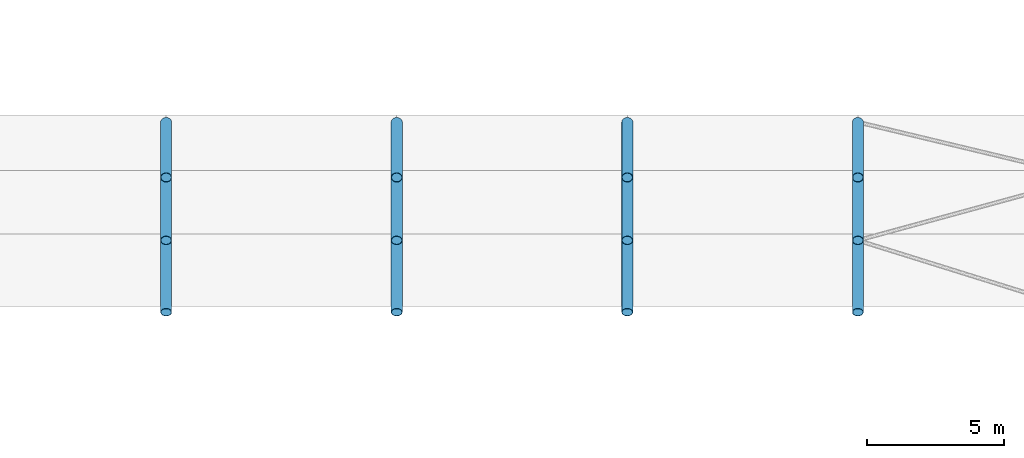
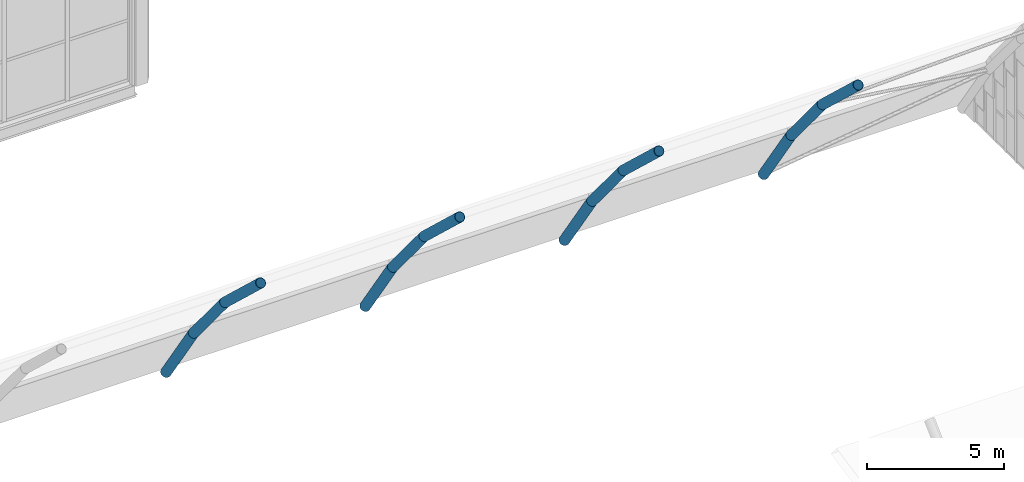
# One storey, part 21 of 77: 12 members.
"""IFC4 building model written with IfcOpenShell, lengths in metres."""

from ifc_helpers import new_model, si_unit, direction, frame, origin, origin_2d, place, context, subcontext, project, spatial, hollow_circle, extrude, material, material_profile, profile_set, type_object, element, save


model = new_model("IFC4")

# Units and contexts
model_context = context("Model", 3, precision=1e-05, world=origin(), true_north=direction((0.0, 1.0)))
body_context = subcontext(model_context, "Body", "Model", "MODEL_VIEW")
ifc_project = project(units=[si_unit("LENGTHUNIT", "METRE"), si_unit("AREAUNIT", "SQUARE_METRE"), si_unit("VOLUMEUNIT", "CUBIC_METRE"), si_unit("PLANEANGLEUNIT", "RADIAN"), si_unit("MASSUNIT", "GRAM", prefix="KILO")], contexts=[model_context])

# Site, building, storey
site_placement = place(None, origin())
site = spatial("IfcSite", under=ifc_project, at=site_placement, CompositionType="ELEMENT")
building_placement = place(site_placement, origin())
building = spatial("IfcBuilding", under=site, at=building_placement, Name="Catenary Quay Ferry Terminal", CompositionType="ELEMENT")
storey_placement = place(building_placement, frame((0.0, 0.0, 10.800048828125)))
storey = spatial("IfcBuildingStorey", under=building, at=storey_placement, Name="L02", CompositionType="ELEMENT", Elevation=10.800048828125)

# Members
ifc_material = material(Name="Steel S355", Category="steel")
ifc_material_profile = material_profile(ifc_material, hollow_circle(Radius=0.203125, WallThickness=0.01611328125, at=origin_2d()), Name="CHS 406.4x16")
ifc_profile_set = profile_set([ifc_material_profile], Name="Steel S355")
member_type = type_object("IfcMemberType", Name="VR3 CHS 406.4x16", PredefinedType="RAFTER", material=ifc_profile_set)
member_1_placement = place(storey_placement, frame((58.800048828125, 135.8740234375, 8.18994140625), z_axis=(0.0, 0.729556292242, -0.683920767669), x_axis=(-1.0, 0.0, 0.0)))
element("IfcMember", 1, at=member_1_placement, inside=storey, type_object=member_type, Name="Vault rib VD-05-10", PredefinedType="RAFTER", context=body_context, shape_type="SweptSolid", body=[
    extrude(hollow_circle(Radius=0.203125, WallThickness=0.01611328125, at=origin_2d()), origin(), (0.0, 0.0, 1.0), 3.589599609375),
])
member_2_placement = place(storey_placement, frame((58.800048828125, 138.492919921875, 5.73486328125), z_axis=(0.0, 0.638329973705, -0.769762849629), x_axis=(-1.0, 0.0, 0.0)))
element("IfcMember", 2, at=member_2_placement, inside=storey, type_object=member_type, Name="Vault rib VD-05-11", PredefinedType="RAFTER", context=body_context, shape_type="SweptSolid", body=[
    extrude(hollow_circle(Radius=0.203125, WallThickness=0.01611328125, at=origin_2d()), origin(), (0.0, 0.0, 1.0), 3.590576171875),
])
member_3_placement = place(storey_placement, frame((58.800048828125, 140.784912109375, 2.970947265625), z_axis=(0.0, 0.561336762899, -0.827587480945), x_axis=(-1.0, 0.0, 0.0)))
element("IfcMember", 3, at=member_3_placement, inside=storey, type_object=member_type, Name="Vault rib VD-05-12", PredefinedType="RAFTER", context=body_context, shape_type="SweptSolid", body=[
    extrude(hollow_circle(Radius=0.203125, WallThickness=0.01611328125, at=origin_2d()), origin(), (0.0, 0.0, 1.0), 3.58984375),
])
member_4_placement = place(storey_placement, frame((67.199951171875, 135.8740234375, 8.18994140625), z_axis=(0.0, 0.729556292242, -0.683920767669), x_axis=(-1.0, 0.0, 0.0)))
element("IfcMember", 4, at=member_4_placement, inside=storey, type_object=member_type, Name="Vault rib VD-06-10", PredefinedType="RAFTER", context=body_context, shape_type="SweptSolid", body=[
    extrude(hollow_circle(Radius=0.203125, WallThickness=0.01611328125, at=origin_2d()), origin(), (0.0, 0.0, 1.0), 3.589599609375),
])
member_5_placement = place(storey_placement, frame((67.199951171875, 138.492919921875, 5.73486328125), z_axis=(0.0, 0.638329973705, -0.769762849629), x_axis=(-1.0, 0.0, 0.0)))
element("IfcMember", 5, at=member_5_placement, inside=storey, type_object=member_type, Name="Vault rib VD-06-11", PredefinedType="RAFTER", context=body_context, shape_type="SweptSolid", body=[
    extrude(hollow_circle(Radius=0.203125, WallThickness=0.01611328125, at=origin_2d()), origin(), (0.0, 0.0, 1.0), 3.590576171875),
])
member_6_placement = place(storey_placement, frame((67.199951171875, 140.784912109375, 2.970947265625), z_axis=(0.0, 0.561336762899, -0.827587480945), x_axis=(-1.0, 0.0, 0.0)))
element("IfcMember", 6, at=member_6_placement, inside=storey, type_object=member_type, Name="Vault rib VD-06-12", PredefinedType="RAFTER", context=body_context, shape_type="SweptSolid", body=[
    extrude(hollow_circle(Radius=0.203125, WallThickness=0.01611328125, at=origin_2d()), origin(), (0.0, 0.0, 1.0), 3.58984375),
])
member_7_placement = place(storey_placement, frame((75.60009765625, 135.8740234375, 8.18994140625), z_axis=(0.0, 0.729556292242, -0.683920767669), x_axis=(-1.0, 0.0, 0.0)))
element("IfcMember", 7, at=member_7_placement, inside=storey, type_object=member_type, Name="Vault rib VD-07-10", PredefinedType="RAFTER", context=body_context, shape_type="SweptSolid", body=[
    extrude(hollow_circle(Radius=0.203125, WallThickness=0.01611328125, at=origin_2d()), origin(), (0.0, 0.0, 1.0), 3.589599609375),
])
member_8_placement = place(storey_placement, frame((75.60009765625, 138.492919921875, 5.73486328125), z_axis=(0.0, 0.638329973705, -0.769762849629), x_axis=(-1.0, 0.0, 0.0)))
element("IfcMember", 8, at=member_8_placement, inside=storey, type_object=member_type, Name="Vault rib VD-07-11", PredefinedType="RAFTER", context=body_context, shape_type="SweptSolid", body=[
    extrude(hollow_circle(Radius=0.203125, WallThickness=0.01611328125, at=origin_2d()), origin(), (0.0, 0.0, 1.0), 3.590576171875),
])
member_9_placement = place(storey_placement, frame((75.60009765625, 140.784912109375, 2.970947265625), z_axis=(0.0, 0.561336762899, -0.827587480945), x_axis=(-1.0, 0.0, 0.0)))
element("IfcMember", 9, at=member_9_placement, inside=storey, type_object=member_type, Name="Vault rib VD-07-12", PredefinedType="RAFTER", context=body_context, shape_type="SweptSolid", body=[
    extrude(hollow_circle(Radius=0.203125, WallThickness=0.01611328125, at=origin_2d()), origin(), (0.0, 0.0, 1.0), 3.58984375),
])
member_10_placement = place(storey_placement, frame((84.0, 135.8740234375, 8.18994140625), z_axis=(0.0, 0.729556292242, -0.683920767669), x_axis=(-1.0, 0.0, 0.0)))
element("IfcMember", 10, at=member_10_placement, inside=storey, type_object=member_type, Name="Vault rib VD-08-10", PredefinedType="RAFTER", context=body_context, shape_type="SweptSolid", body=[
    extrude(hollow_circle(Radius=0.203125, WallThickness=0.01611328125, at=origin_2d()), origin(), (0.0, 0.0, 1.0), 3.589599609375),
])
member_11_placement = place(storey_placement, frame((84.0, 138.492919921875, 5.73486328125), z_axis=(0.0, 0.638329973705, -0.769762849629), x_axis=(-1.0, 0.0, 0.0)))
element("IfcMember", 11, at=member_11_placement, inside=storey, type_object=member_type, Name="Vault rib VD-08-11", PredefinedType="RAFTER", context=body_context, shape_type="SweptSolid", body=[
    extrude(hollow_circle(Radius=0.203125, WallThickness=0.01611328125, at=origin_2d()), origin(), (0.0, 0.0, 1.0), 3.590576171875),
])
member_12_placement = place(storey_placement, frame((84.0, 140.784912109375, 2.970947265625), z_axis=(0.0, 0.561336762899, -0.827587480945), x_axis=(-1.0, 0.0, 0.0)))
element("IfcMember", 12, at=member_12_placement, inside=storey, type_object=member_type, Name="Vault rib VD-08-12", PredefinedType="RAFTER", context=body_context, shape_type="SweptSolid", body=[
    extrude(hollow_circle(Radius=0.203125, WallThickness=0.01611328125, at=origin_2d()), origin(), (0.0, 0.0, 1.0), 3.58984375),
])

save(model, "model.ifc")
